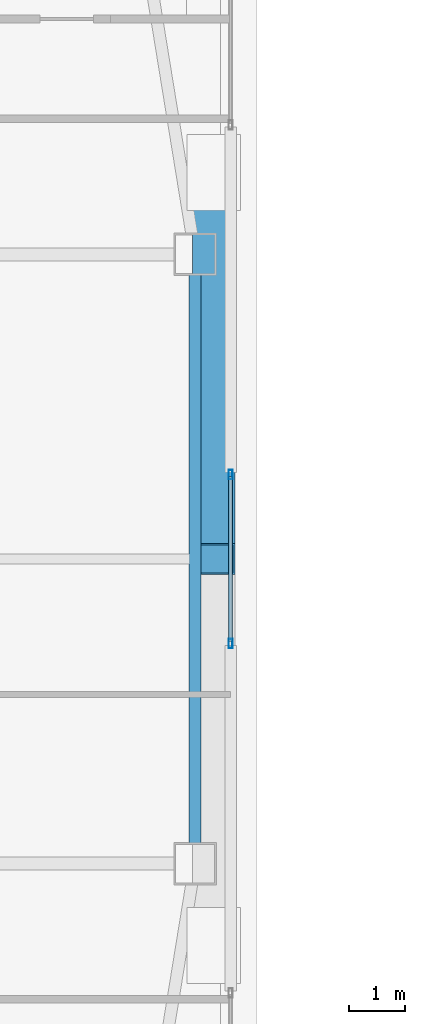
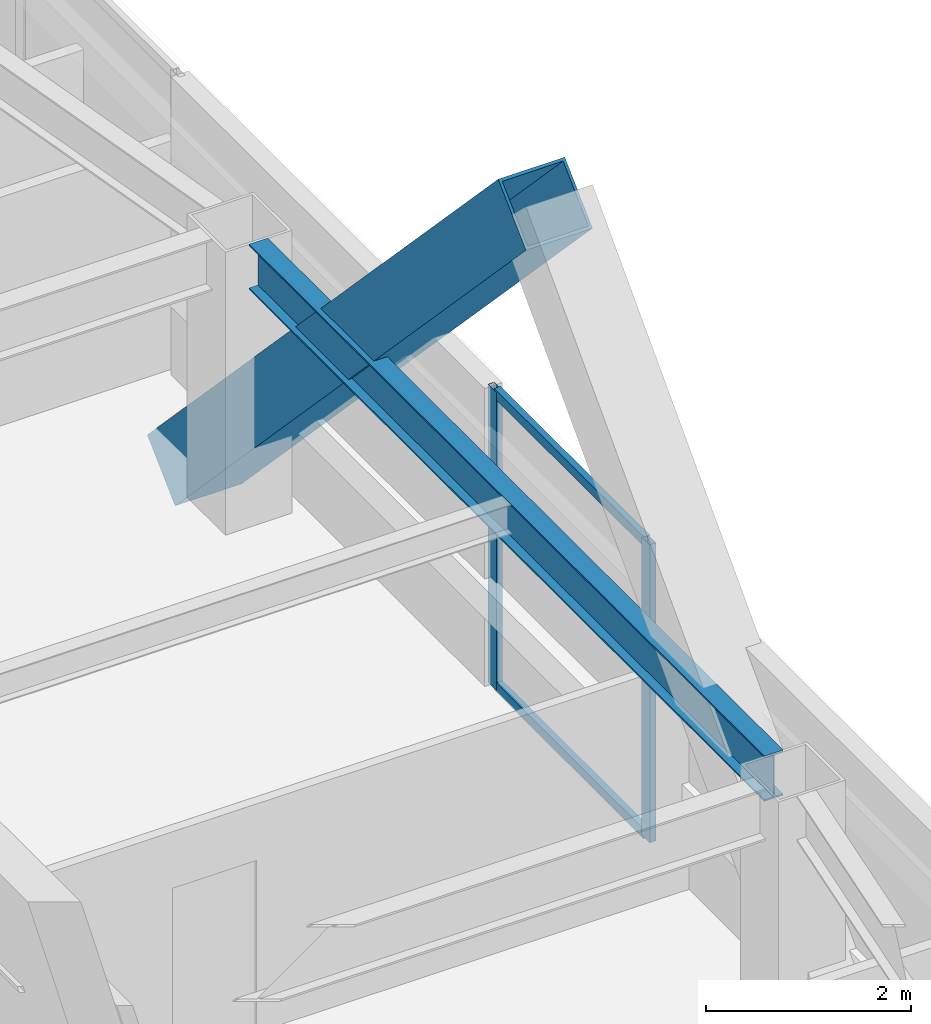
# One storey, part 12 of 39: 5 members, 1 beam, 1 element without a shape of its own.
"""IFC4 building model written with IfcOpenShell, lengths in metres."""

from ifc_helpers import new_model, si_unit, direction, frame, origin, origin_2d, place, context, subcontext, project, spatial, hollow_rectangle, i_section, extrude, material, material_profile, profile_set, type_object, element, aggregate, save


model = new_model("IFC4")

# Units and contexts
model_context = context("Model", 3, precision=1e-05, world=origin(), true_north=direction((0.0, 1.0)))
body_context = subcontext(model_context, "Body", "Model", "MODEL_VIEW")
ifc_project = project(units=[si_unit("LENGTHUNIT", "METRE"), si_unit("AREAUNIT", "SQUARE_METRE"), si_unit("VOLUMEUNIT", "CUBIC_METRE"), si_unit("PLANEANGLEUNIT", "RADIAN"), si_unit("MASSUNIT", "GRAM", prefix="KILO")], contexts=[model_context])

# Site, building, storey
site_placement = place(None, origin())
site = spatial("IfcSite", under=ifc_project, at=site_placement, CompositionType="ELEMENT")
building_placement = place(site_placement, origin())
building = spatial("IfcBuilding", under=site, at=building_placement, Name="Tashvorn Skyway Center", CompositionType="ELEMENT")
storey_placement = place(building_placement, frame((0.0, 0.0, 239.699951171875)))
storey = spatial("IfcBuildingStorey", under=building, at=storey_placement, Name="L65", CompositionType="ELEMENT", Elevation=239.699951171875)

# Beam
ifc_material_1 = material(Name="Steel ASTM A992 Grade 50", Category="steel")
ifc_material_profile_1 = material_profile(ifc_material_1, i_section(OverallWidth=0.2109375, OverallDepth=0.5390625, WebThickness=0.01171875, FlangeThickness=0.018798828125, at=origin_2d()), Name="W21X73")
ifc_profile_set_1 = profile_set([ifc_material_profile_1], Name="Steel ASTM A992 Grade 50")
beam_type = type_object("IfcBeamType", Name="BM-SPANDREL-W21X73", PredefinedType="SPANDREL", material=ifc_profile_set_1)
beam_placement = place(storey_placement, frame((57.050048828125, 26.969970703125, 3.1005859375), z_axis=(0.0, 1.0, 0.0), x_axis=(-1.0, 0.0, 0.0)))
element("IfcBeam", 1, at=beam_placement, inside=storey, type_object=beam_type, Name="Tower 1 L65 Spandrel Beam 05", PredefinedType="SPANDREL", context=body_context, shape_type="SweptSolid", body=[
    extrude(i_section(OverallWidth=0.2109375, OverallDepth=0.5390625, WebThickness=0.01171875, FlangeThickness=0.018798828125, at=origin_2d()), origin(), (0.0, 0.0, 1.0), 10.06005859375),
])

# Curtain wall, members
ifc_material_2 = material(Name="Thermally broken bronze-anodized aluminium 6063-T6", Category="aluminium")
curtain_wall_type = type_object("IfcCurtainWallType", Name="CW-CW-Z5", PredefinedType="NOTDEFINED", material=ifc_material_2)
curtain_wall_placement = place(storey_placement, origin())
curtain_wall = element("IfcCurtainWall", 2, at=curtain_wall_placement, inside=storey, type_object=curtain_wall_type, Name="Tower 1 L65 East Unitised Curtain Wall Glazing Group 2", PredefinedType="NOTDEFINED")
ifc_material_profile_2 = material_profile(ifc_material_2, hollow_rectangle(XDim=0.070068359375, YDim=0.1650390625, WallThickness=0.00390625, at=origin_2d()), Name="ALU-MULL-70x165")
ifc_profile_set_2 = profile_set([ifc_material_profile_2], Name="Thermally broken bronze-anodized aluminium 6063-T6")
member_type_1 = type_object("IfcMemberType", Name="CWM-CW-Z5", PredefinedType="MULLION", material=ifc_profile_set_2)
member_1_placement = place(storey_placement, frame((57.679931640625, 33.49609375, 0.0), z_axis=(0.0, 0.0, 1.0), x_axis=(1.0, 0.0, 0.0)))
member_1 = element("IfcMember", 3, at=member_1_placement, type_object=member_type_1, Name="CW-Z5 mullion 1", PredefinedType="MULLION", context=body_context, shape_type="SweptSolid", body=[
    extrude(hollow_rectangle(XDim=0.070068359375, YDim=0.1650390625, WallThickness=0.00390625, at=origin_2d()), origin(), (0.0, 0.0, 1.0), 3.550048828125),
])
member_2_placement = place(storey_placement, frame((57.679931640625, 30.50390625, 0.0), z_axis=(0.0, 0.0, 1.0), x_axis=(1.0, 0.0, 0.0)))
member_2 = element("IfcMember", 4, at=member_2_placement, type_object=member_type_1, Name="CW-Z5 mullion 2", PredefinedType="MULLION", context=body_context, shape_type="SweptSolid", body=[
    extrude(hollow_rectangle(XDim=0.070068359375, YDim=0.1650390625, WallThickness=0.00390625, at=origin_2d()), origin(), (0.0, 0.0, 1.0), 3.550048828125),
])
ifc_material_profile_3 = material_profile(ifc_material_2, hollow_rectangle(XDim=0.070068359375, YDim=0.114990234375, WallThickness=0.00390625, at=origin_2d()), Name="ALU-TRAN-70x115")
ifc_profile_set_3 = profile_set([ifc_material_profile_3], Name="Thermally broken bronze-anodized aluminium 6063-T6")
member_type_2 = type_object("IfcMemberType", Name="CWT-CW-Z5", PredefinedType="USERDEFINED", material=ifc_profile_set_3)
member_3_placement = place(storey_placement, frame((57.679931640625, 33.461181640625, 0.03515625), z_axis=(0.0, -1.0, 0.0), x_axis=(1.0, 0.0, 0.0)))
member_3 = element("IfcMember", 5, at=member_3_placement, type_object=member_type_2, Name="CW-Z5 transom 1.1", ObjectType="TRANSOM", PredefinedType="USERDEFINED", context=body_context, shape_type="SweptSolid", body=[
    extrude(hollow_rectangle(XDim=0.070068359375, YDim=0.114990234375, WallThickness=0.00390625, at=origin_2d()), origin(), (0.0, 0.0, 1.0), 2.92236328125),
])
member_4_placement = place(storey_placement, frame((57.679931640625, 33.461181640625, 3.51513671875), z_axis=(0.0, -1.0, 0.0), x_axis=(1.0, 0.0, 0.0)))
member_4 = element("IfcMember", 6, at=member_4_placement, type_object=member_type_2, Name="CW-Z5 transom 1.2", ObjectType="TRANSOM", PredefinedType="USERDEFINED", context=body_context, shape_type="SweptSolid", body=[
    extrude(hollow_rectangle(XDim=0.070068359375, YDim=0.114990234375, WallThickness=0.00390625, at=origin_2d()), origin(), (0.0, 0.0, 1.0), 2.92236328125),
])
aggregate(curtain_wall, [member_1, member_2, member_3, member_4])

# Member
ifc_material_3 = material(Name="Steel ASTM A572 Grade 50", Category="steel")
ifc_material_profile_4 = material_profile(ifc_material_3, hollow_rectangle(XDim=0.75, YDim=0.75, WallThickness=0.031982421875, at=origin_2d()), Name="BOX750x750x32")
ifc_profile_set_4 = profile_set([ifc_material_profile_4], Name="Steel ASTM A572 Grade 50")
member_type_3 = type_object("IfcMemberType", Name="MEM-MB-750", PredefinedType="BRACE", material=ifc_profile_set_4)
member_5_placement = place(storey_placement, frame((57.3798828125, 38.85009765625, -0.449951171875), z_axis=(0.0, -0.689285797105, 0.724489537474), x_axis=(1.0, 0.0, 0.0)))
element("IfcMember", 7, at=member_5_placement, inside=storey, type_object=member_type_3, Name="Tower 1 Zone 6 E Chevron Mega-Brace R2", PredefinedType="BRACE", context=body_context, shape_type="SweptSolid", body=[
    extrude(hollow_rectangle(XDim=0.75, YDim=0.75, WallThickness=0.031982421875, at=origin_2d()), origin(), (0.0, 0.0, 1.0), 9.93798828125),
])

save(model, "model.ifc")
